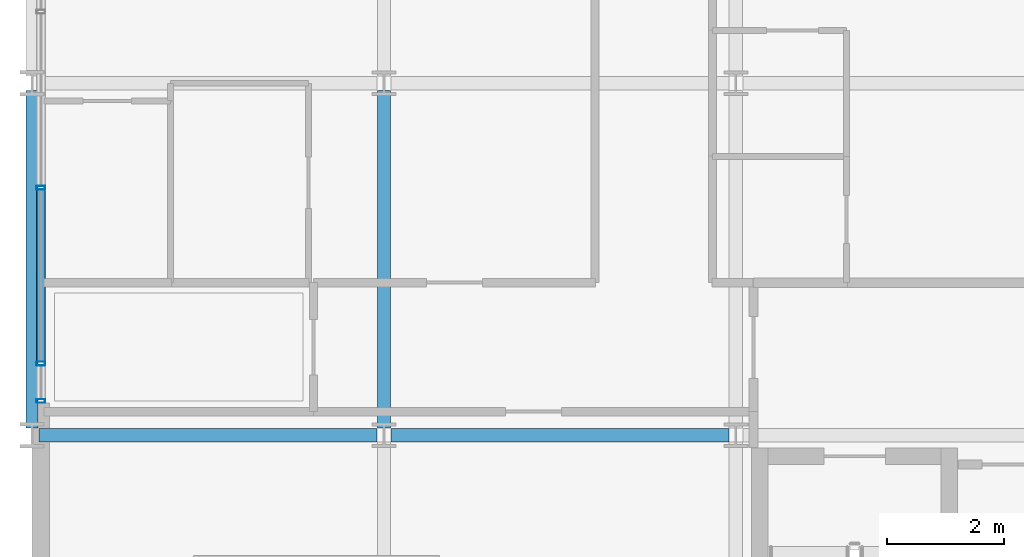
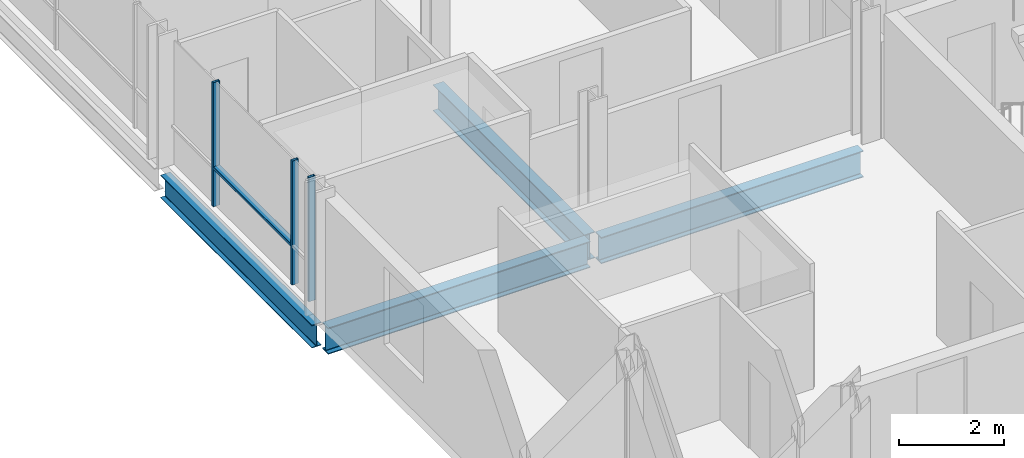
# One storey, part 2 of 41: 4 beams, 4 members, 1 element without a shape of its own.
"""IFC4 building model written with IfcOpenShell, lengths in metres."""

from ifc_helpers import new_model, si_unit, direction, frame, origin, origin_2d, place, context, subcontext, project, spatial, hollow_rectangle, i_section, extrude, material, layer, layer_set, material_profile, profile_set, type_object, element, aggregate, save


model = new_model("IFC4")

# Units and contexts
model_context = context("Model", 3, precision=1e-05, world=origin(), true_north=direction((0.0, 1.0)))
body_context = subcontext(model_context, "Body", "Model", "MODEL_VIEW")
ifc_project = project(units=[si_unit("LENGTHUNIT", "METRE"), si_unit("AREAUNIT", "SQUARE_METRE"), si_unit("VOLUMEUNIT", "CUBIC_METRE"), si_unit("PLANEANGLEUNIT", "RADIAN"), si_unit("MASSUNIT", "GRAM", prefix="KILO")], contexts=[model_context])

# Site, building, storey
site_placement = place(None, origin())
site = spatial("IfcSite", under=ifc_project, at=site_placement, CompositionType="ELEMENT")
building_placement = place(site_placement, origin())
building = spatial("IfcBuilding", under=site, at=building_placement, Name="Brevholm Reach", CompositionType="ELEMENT")
storey_placement = place(building_placement, frame((0.0, 0.0, 106.60009765625)))
storey = spatial("IfcBuildingStorey", under=building, at=storey_placement, Name="L31", CompositionType="ELEMENT", Elevation=106.60009765625)

# Beams
ifc_material_1 = material(Name="Structural Steel S355J2", Category="steel")
ifc_material_profile_1 = material_profile(ifc_material_1, i_section(OverallWidth=0.209228515625, OverallDepth=0.533203125, WebThickness=0.010009765625, FlangeThickness=0.015625, FilletRadius=0.0126953125, at=origin_2d()), Name="UKB 533x210x92")
ifc_profile_set_1 = profile_set([ifc_material_profile_1], Name="Structural Steel S355J2")
beam_type_1 = type_object("IfcBeamType", Name="BM-SP533", PredefinedType="SPANDREL", material=ifc_profile_set_1)
beam_placement = place(storey_placement, frame((0.0, 10.1201171875, -0.486572265625), z_axis=(0.0, 1.0, 0.0), x_axis=(-1.0, 0.0, 0.0)))
element("IfcBeam", 1, at=beam_placement, inside=storey, type_object=beam_type_1, Name="L31 SP-02 Framing Beam", PredefinedType="SPANDREL", context=body_context, shape_type="SweptSolid", body=[
    extrude(i_section(OverallWidth=0.209228515625, OverallDepth=0.533203125, WebThickness=0.010009765625, FlangeThickness=0.015625, FilletRadius=0.0126953125, at=origin_2d()), origin(), (0.0, 0.0, 1.0), 5.759765625),
])
ifc_material_2 = material(Name="Structural Steel S355J2", Category="steel")
ifc_material_profile_2 = material_profile(ifc_material_2, i_section(OverallWidth=0.22900390625, OverallDepth=0.6123046875, WebThickness=0.011962890625, FlangeThickness=0.01953125, FilletRadius=0.0126953125, at=origin_2d()), Name="UKB 610x229x125")
ifc_profile_set_2 = profile_set([ifc_material_profile_2], Name="Structural Steel S355J2")
beam_type_2 = type_object("IfcBeamType", Name="BM-SP610", PredefinedType="SPANDREL", material=ifc_profile_set_2)
for number, where, z_axis, x_axis, name in (
    (2, (0.1201171875, 10.0, -0.526123046875), (1.0, 0.0, 0.0), (0.0, 1.0, 0.0), "L31 SP-01 Framing Beam"),
    (3, (6.1201171875, 10.0, -0.526123046875), (1.0, 0.0, 0.0), (0.0, 1.0, 0.0), "L31 SP-01 Framing Beam"),
    (4, (6.0, 10.1201171875, -0.526123046875), (0.0, 1.0, 0.0), (-1.0, 0.0, 0.0), "L31 SP-01 Framing Beam"),
):
    element("IfcBeam", number, at=place(storey_placement, frame(where, z_axis=z_axis, x_axis=x_axis)), inside=storey, type_object=beam_type_2, Name=name, PredefinedType="SPANDREL", context=body_context, shape_type="SweptSolid", body=[
        extrude(i_section(OverallWidth=0.22900390625, OverallDepth=0.6123046875, WebThickness=0.011962890625, FlangeThickness=0.01953125, FilletRadius=0.0126953125, at=origin_2d()), origin(), (0.0, 0.0, 1.0), 5.759765625),
    ])

# Curtain wall, members
ifc_material_3 = material(Name="Dark Anodised Aluminium 6063-T6 and Solar-Control Glass", Category="aluminium")
ifc_layer = layer(ifc_material_3, 0.14990234375)
ifc_layer_set = layer_set([ifc_layer], Name="Dark Anodised Aluminium 6063-T6 and Solar-Control Glass")
curtain_wall_type = type_object("IfcCurtainWallType", Name="CW-01", PredefinedType="NOTDEFINED", material=ifc_layer_set)
curtain_wall_placement = place(storey_placement, origin())
curtain_wall = element("IfcCurtainWall", 5, at=curtain_wall_placement, inside=storey, type_object=curtain_wall_type, Name="L31 Curtain Wall CW-01", PredefinedType="NOTDEFINED")
ifc_material_4 = material(Name="Dark Anodised Aluminium 6063-T6", Category="aluminium")
ifc_material_profile_3 = material_profile(ifc_material_4, hollow_rectangle(XDim=0.06494140625, YDim=0.14990234375, WallThickness=0.0048828125, InnerFilletRadius=0.0048828125, OuterFilletRadius=0.010009765625, at=origin_2d()), Name="RHS 150x65x5")
ifc_profile_set_3 = profile_set([ifc_material_profile_3], Name="Dark Anodised Aluminium 6063-T6")
member_type_1 = type_object("IfcMemberType", Name="CWM-150", PredefinedType="MULLION", material=ifc_profile_set_3)
member_1_placement = place(storey_placement, frame((0.14990234375, 14.219970703125, 0.0), z_axis=(0.0, 0.0, 1.0), x_axis=(0.0, -1.0, 0.0)))
member_1 = element("IfcMember", 6, at=member_1_placement, type_object=member_type_1, Name="CM-150 Mullion 4", PredefinedType="MULLION", context=body_context, shape_type="SweptSolid", body=[
    extrude(hollow_rectangle(XDim=0.06494140625, YDim=0.14990234375, WallThickness=0.0048828125, InnerFilletRadius=0.0048828125, OuterFilletRadius=0.010009765625, at=origin_2d()), origin(), (0.0, 0.0, 1.0), 2.8798828125),
])
member_2_placement = place(storey_placement, frame((0.14990234375, 11.219970703125, 0.0), z_axis=(0.0, 0.0, 1.0), x_axis=(0.0, -1.0, 0.0)))
member_2 = element("IfcMember", 7, at=member_2_placement, type_object=member_type_1, Name="CM-150 Mullion 5", PredefinedType="MULLION", context=body_context, shape_type="SweptSolid", body=[
    extrude(hollow_rectangle(XDim=0.06494140625, YDim=0.14990234375, WallThickness=0.0048828125, InnerFilletRadius=0.0048828125, OuterFilletRadius=0.010009765625, at=origin_2d()), origin(), (0.0, 0.0, 1.0), 2.8798828125),
])
member_3_placement = place(storey_placement, frame((0.14990234375, 10.58251953125, 0.0), z_axis=(0.0, 0.0, 1.0), x_axis=(0.0, -1.0, 0.0)))
member_3 = element("IfcMember", 8, at=member_3_placement, type_object=member_type_1, Name="CM-150 Mullion 6", PredefinedType="MULLION", context=body_context, shape_type="SweptSolid", body=[
    extrude(hollow_rectangle(XDim=0.06494140625, YDim=0.14990234375, WallThickness=0.0048828125, InnerFilletRadius=0.0048828125, OuterFilletRadius=0.010009765625, at=origin_2d()), origin(), (0.0, 0.0, 1.0), 2.8798828125),
])
ifc_material_5 = material(Name="Dark Anodised Aluminium 6063-T6", Category="aluminium")
ifc_material_profile_4 = material_profile(ifc_material_5, hollow_rectangle(XDim=0.06494140625, YDim=0.14990234375, WallThickness=0.0048828125, InnerFilletRadius=0.0048828125, OuterFilletRadius=0.010009765625, at=origin_2d()), Name="RHS 150x65x5")
ifc_profile_set_4 = profile_set([ifc_material_profile_4], Name="Dark Anodised Aluminium 6063-T6")
member_type_2 = type_object("IfcMemberType", Name="CWT-150", PredefinedType="NOTDEFINED", material=ifc_profile_set_4)
member_4_placement = place(storey_placement, frame((0.14990234375, 14.1875, 0.89990234375), z_axis=(0.0, -1.0, 0.0), x_axis=(0.0, 0.0, 1.0)))
member_4 = element("IfcMember", 9, at=member_4_placement, type_object=member_type_2, Name="CT-150 Transom 4.1", ObjectType="TRANSOM", PredefinedType="USERDEFINED", context=body_context, shape_type="SweptSolid", body=[
    extrude(hollow_rectangle(XDim=0.06494140625, YDim=0.14990234375, WallThickness=0.0048828125, InnerFilletRadius=0.0048828125, OuterFilletRadius=0.010009765625, at=origin_2d()), origin(), (0.0, 0.0, 1.0), 2.93505859375),
])
aggregate(curtain_wall, [member_1, member_2, member_3, member_4])

save(model, "model.ifc")
